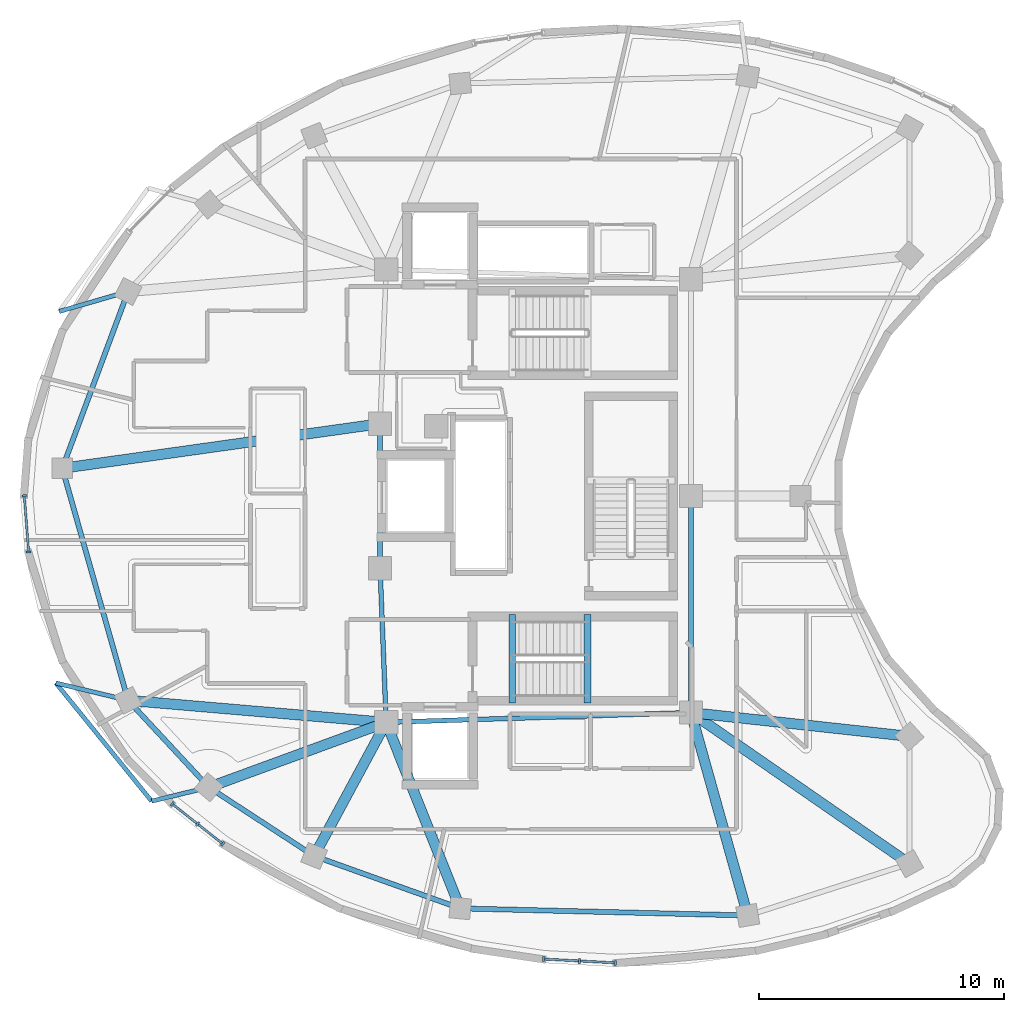
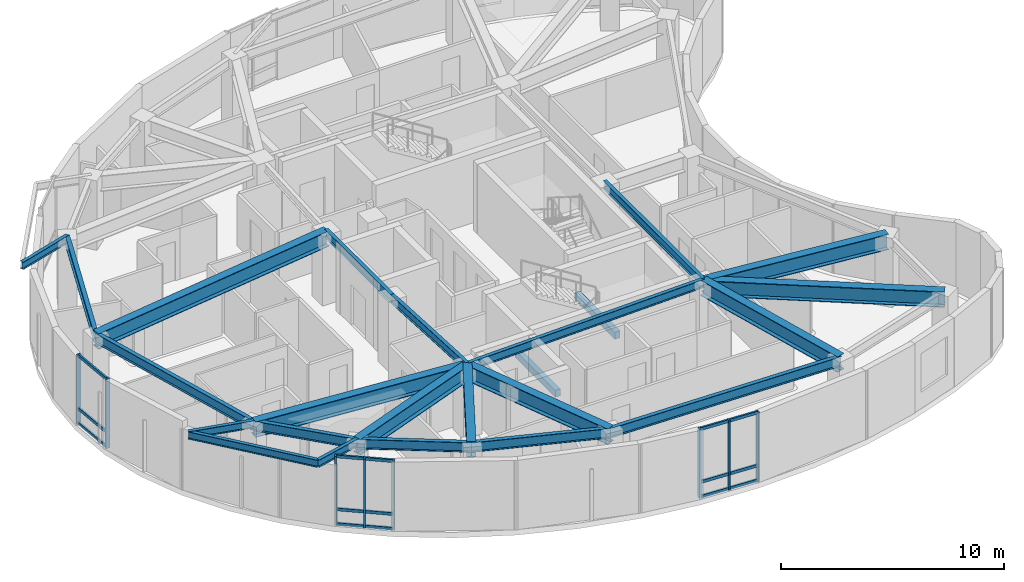
# One storey, part 2 of 12: 24 beams, 23 members, 3 elements without a shape of their own.
"""IFC4 building model written with IfcOpenShell, lengths in metres."""

from ifc_helpers import new_model, si_unit, direction, frame, origin, origin_2d, place, context, subcontext, project, spatial, rectangle, i_section, extrude, material, layer, layer_set, material_profile, profile_set, type_object, element, aggregate, save


model = new_model("IFC4")

# Units and contexts
model_context = context("Model", 3, precision=1e-05, world=origin(), true_north=direction((0.0, 1.0)))
body_context = subcontext(model_context, "Body", "Model", "MODEL_VIEW")
ifc_project = project(units=[si_unit("LENGTHUNIT", "METRE"), si_unit("AREAUNIT", "SQUARE_METRE"), si_unit("VOLUMEUNIT", "CUBIC_METRE"), si_unit("PLANEANGLEUNIT", "RADIAN"), si_unit("MASSUNIT", "GRAM", prefix="KILO")], contexts=[model_context])

# Site, building, storey
site_placement = place(None, origin())
site = spatial("IfcSite", under=ifc_project, at=site_placement, CompositionType="ELEMENT")
building_placement = place(site_placement, origin())
building = spatial("IfcBuilding", under=site, at=building_placement, Name="Korentha Bioscience Tower", CompositionType="ELEMENT")
storey_placement = place(building_placement, frame((0.0, 0.0, 282.60009765625)))
storey = spatial("IfcBuildingStorey", under=building, at=storey_placement, Name="L65", CompositionType="ELEMENT", Elevation=282.60009765625)

# Beams
ifc_material_1 = material(Name="Concrete C50", Category="concrete")
ifc_material_profile_1 = material_profile(ifc_material_1, rectangle(XDim=0.280029296875, YDim=0.3798828125, at=origin_2d()), Name="Concrete C50")
ifc_profile_set_1 = profile_set([ifc_material_profile_1], Name="Concrete C50 (ST-HB380)")
beam_type_1 = type_object("IfcBeamType", Name="Concrete Stair Header Beam RC 280x380", PredefinedType="BEAM", material=ifc_profile_set_1)
for number, where, z_axis, x_axis, name in (
    (1, (30.25, 18.550048828125, -0.190185546875), (0.0, 1.0, 0.0), (-1.0, 0.0, 0.0), "L65 ST-2 Concrete Stair Header Beam"),
    (2, (33.330078125, 18.550048828125, 1.909912109375), (0.0, 1.0, 0.0), (-1.0, 0.0, 0.0), "L65 ST-2 Half-Landing Header Beam 1"),
):
    element("IfcBeam", number, at=place(storey_placement, frame(where, z_axis=z_axis, x_axis=x_axis)), inside=storey, type_object=beam_type_1, Name=name, PredefinedType="BEAM", context=body_context, shape_type="SweptSolid", body=[
        extrude(rectangle(XDim=0.280029296875, YDim=0.3798828125, at=origin_2d()), origin(), (0.0, 0.0, 1.0), 3.599853515625),
    ])
ifc_material_2 = material(Name="Steel S355", Category="steel")
ifc_material_profile_2 = material_profile(ifc_material_2, i_section(OverallWidth=0.18994140625, OverallDepth=0.45703125, WebThickness=0.009033203125, FlangeThickness=0.014404296875, at=origin_2d()), Name="Steel S355")
ifc_profile_set_2 = profile_set([ifc_material_profile_2], Name="Steel S355 (MB-460)")
beam_type_2 = type_object("IfcBeamType", Name="Mid-Ring Tie Girder W460x74", PredefinedType="BEAM", material=ifc_profile_set_2)
beam_1_placement = place(storey_placement, frame((24.85009765625, 29.949951171875, 3.5615234375), z_axis=(0.0, -1.0, 0.0), x_axis=(1.0, 0.0, 0.0)))
element("IfcBeam", 3, at=beam_1_placement, inside=storey, type_object=beam_type_2, Name="L65 Core Ring Tie Girder 03", PredefinedType="BEAM", context=body_context, shape_type="SweptSolid", body=[
    extrude(i_section(OverallWidth=0.18994140625, OverallDepth=0.45703125, WebThickness=0.009033203125, FlangeThickness=0.014404296875, at=origin_2d()), origin(), (0.0, 0.0, 1.0), 5.89990234375),
])
beam_2_placement = place(storey_placement, frame((24.85009765625, 24.050048828125, 3.5615234375), z_axis=(0.039651025576, -0.999213588864, 0.0), x_axis=(0.999213588864, 0.039651025576, 0.0)))
element("IfcBeam", 4, at=beam_2_placement, inside=storey, type_object=beam_type_2, Name="L65 Core Ring Tie Girder 04", PredefinedType="BEAM", context=body_context, shape_type="SweptSolid", body=[
    extrude(i_section(OverallWidth=0.18994140625, OverallDepth=0.45703125, WebThickness=0.009033203125, FlangeThickness=0.014404296875, at=origin_2d()), origin(), (0.0, 0.0, 1.0), 6.304931640625),
])
beam_3_placement = place(storey_placement, frame((25.10009765625, 17.75, 3.5615234375), z_axis=(0.999484526071, 0.032104238723, 0.0), x_axis=(-0.032104238723, 0.999484526071, 0.0)))
element("IfcBeam", 5, at=beam_3_placement, inside=storey, type_object=beam_type_2, Name="L65 Core Ring Tie Girder 05", PredefinedType="BEAM", context=body_context, shape_type="SweptSolid", body=[
    extrude(i_section(OverallWidth=0.18994140625, OverallDepth=0.45703125, WebThickness=0.009033203125, FlangeThickness=0.014404296875, at=origin_2d()), origin(), (0.0, 0.0, 1.0), 12.456298828125),
])
beam_4_placement = place(storey_placement, frame((37.550048828125, 18.14990234375, 3.5615234375), z_axis=(0.0, 1.0, 0.0), x_axis=(-1.0, 0.0, 0.0)))
element("IfcBeam", 6, at=beam_4_placement, inside=storey, type_object=beam_type_2, Name="L65 Core Ring Tie Girder 06", PredefinedType="BEAM", context=body_context, shape_type="SweptSolid", body=[
    extrude(i_section(OverallWidth=0.18994140625, OverallDepth=0.45703125, WebThickness=0.009033203125, FlangeThickness=0.014404296875, at=origin_2d()), origin(), (0.0, 0.0, 1.0), 8.85009765625),
])

# Curtain wall, members
ifc_material_3 = material(Name="Thermally Broken Aluminium Frame", Category="aluminium")
ifc_layer = layer(ifc_material_3, 0.219970703125, Name="Thermally Broken Aluminium Frame")
ifc_layer_set = layer_set([ifc_layer], Name="Thermally Broken Aluminium Frame (CW-T1)")
curtain_wall_type = type_object("IfcCurtainWallType", Name="Standard Bioscience Lab Unitised Curtain Wall CW-T1", PredefinedType="USERDEFINED", material=ifc_layer_set)
curtain_wall_1_placement = place(storey_placement, origin())
curtain_wall_1 = element("IfcCurtainWall", 7, at=curtain_wall_1_placement, inside=storey, type_object=curtain_wall_type, Name="L65 Curtain Wall 19", ObjectType="UNITISED", PredefinedType="USERDEFINED")
ifc_material_4 = material(Name="Anodised Aluminium 6063-T6", Category="aluminium")
ifc_material_profile_3 = material_profile(ifc_material_4, rectangle(XDim=0.090087890625, YDim=0.199951171875, at=origin_2d()), Name="Anodised Aluminium 6063-T6")
ifc_profile_set_3 = profile_set([ifc_material_profile_3], Name="Anodised Aluminium 6063-T6 (CW-MUL)")
member_type_1 = type_object("IfcMemberType", Name="Mullion RECT 90x200", PredefinedType="MULLION", material=ifc_profile_set_3)
member_1_placement = place(storey_placement, frame((10.31787109375, 27.007080078125, 0.0), z_axis=(0.0, 0.0, 1.0), x_axis=(0.076447323916, -0.997073621487, 0.0)))
member_1 = element("IfcMember", 8, at=member_1_placement, type_object=member_type_1, Name="CW-L65-19 Mullion 1", PredefinedType="MULLION", context=body_context, shape_type="SweptSolid", body=[
    extrude(rectangle(XDim=0.090087890625, YDim=0.199951171875, at=origin_2d()), origin(), (0.0, 0.0, 1.0), 3.789794921875),
])
member_2_placement = place(storey_placement, frame((10.493896484375, 24.710205078125, 0.0), z_axis=(0.0, 0.0, 1.0), x_axis=(0.076447323916, -0.997073621487, 0.0)))
member_2 = element("IfcMember", 9, at=member_2_placement, type_object=member_type_1, Name="CW-L65-19 Mullion 2", PredefinedType="MULLION", context=body_context, shape_type="SweptSolid", body=[
    extrude(rectangle(XDim=0.090087890625, YDim=0.199951171875, at=origin_2d()), origin(), (0.0, 0.0, 1.0), 3.789794921875),
])

curtain_wall_2_placement = place(storey_placement, origin())
curtain_wall_2 = element("IfcCurtainWall", 10, at=curtain_wall_2_placement, inside=storey, type_object=curtain_wall_type, Name="L65 Curtain Wall 25", ObjectType="UNITISED", PredefinedType="USERDEFINED")
member_3_placement = place(storey_placement, frame((16.361083984375, 14.41943359375, 0.0), z_axis=(0.0, 0.0, 1.0), x_axis=(0.78407560827, -0.620665320858, 0.0)))
member_3 = element("IfcMember", 11, at=member_3_placement, type_object=member_type_1, Name="CW-L65-25 Mullion 1", PredefinedType="MULLION", context=body_context, shape_type="SweptSolid", body=[
    extrude(rectangle(XDim=0.090087890625, YDim=0.199951171875, at=origin_2d()), origin(), (0.0, 0.0, 1.0), 3.789794921875),
])
member_4_placement = place(storey_placement, frame((17.3935546875, 13.602294921875, 0.0), z_axis=(0.0, 0.0, 1.0), x_axis=(0.78407560827, -0.620665320858, 0.0)))
member_4 = element("IfcMember", 12, at=member_4_placement, type_object=member_type_1, Name="CW-L65-25 Mullion 2", PredefinedType="MULLION", context=body_context, shape_type="SweptSolid", body=[
    extrude(rectangle(XDim=0.090087890625, YDim=0.199951171875, at=origin_2d()), origin(), (0.0, 0.0, 1.0), 3.789794921875),
])
member_5_placement = place(storey_placement, frame((18.42578125, 12.784912109375, 0.0), z_axis=(0.0, 0.0, 1.0), x_axis=(0.78407560827, -0.620665320858, 0.0)))
member_5 = element("IfcMember", 13, at=member_5_placement, type_object=member_type_1, Name="CW-L65-25 Mullion 3", PredefinedType="MULLION", context=body_context, shape_type="SweptSolid", body=[
    extrude(rectangle(XDim=0.090087890625, YDim=0.199951171875, at=origin_2d()), origin(), (0.0, 0.0, 1.0), 3.789794921875),
])

curtain_wall_3_placement = place(storey_placement, origin())
curtain_wall_3 = element("IfcCurtainWall", 14, at=curtain_wall_3_placement, inside=storey, type_object=curtain_wall_type, Name="L65 Curtain Wall 31", ObjectType="UNITISED", PredefinedType="USERDEFINED")
member_6_placement = place(storey_placement, frame((31.531982421875, 8.082763671875, 0.0), z_axis=(0.0, 0.0, 1.0), x_axis=(0.998579324855, -0.053285382345, 0.0)))
member_6 = element("IfcMember", 15, at=member_6_placement, type_object=member_type_1, Name="CW-L65-31 Mullion 1", PredefinedType="MULLION", context=body_context, shape_type="SweptSolid", body=[
    extrude(rectangle(XDim=0.090087890625, YDim=0.199951171875, at=origin_2d()), origin(), (0.0, 0.0, 1.0), 3.789794921875),
])
member_7_placement = place(storey_placement, frame((32.994873046875, 8.004638671875, 0.0), z_axis=(0.0, 0.0, 1.0), x_axis=(0.998579324855, -0.053285382345, 0.0)))
member_7 = element("IfcMember", 16, at=member_7_placement, type_object=member_type_1, Name="CW-L65-31 Mullion 2", PredefinedType="MULLION", context=body_context, shape_type="SweptSolid", body=[
    extrude(rectangle(XDim=0.090087890625, YDim=0.199951171875, at=origin_2d()), origin(), (0.0, 0.0, 1.0), 3.789794921875),
])
member_8_placement = place(storey_placement, frame((34.45751953125, 7.9267578125, 0.0), z_axis=(0.0, 0.0, 1.0), x_axis=(0.998579324855, -0.053285382345, 0.0)))
member_8 = element("IfcMember", 17, at=member_8_placement, type_object=member_type_1, Name="CW-L65-31 Mullion 3", PredefinedType="MULLION", context=body_context, shape_type="SweptSolid", body=[
    extrude(rectangle(XDim=0.090087890625, YDim=0.199951171875, at=origin_2d()), origin(), (0.0, 0.0, 1.0), 3.789794921875),
])

# Beams
ifc_material_profile_4 = material_profile(ifc_material_2, i_section(OverallWidth=0.208984375, OverallDepth=0.532958984375, WebThickness=0.01025390625, FlangeThickness=0.015625, at=origin_2d()), Name="Steel S355")
ifc_profile_set_4 = profile_set([ifc_material_profile_4], Name="Steel S355 (SB-530)")
beam_type_3 = type_object("IfcBeamType", Name="Perimeter Ring Spandrel Girder W530x92", PredefinedType="SPANDREL", material=ifc_profile_set_4)
beam_5_placement = place(storey_placement, frame((14.556884765625, 35.35107421875, 3.5234375), z_axis=(-0.348764777576, -0.937210291195, 0.0), x_axis=(0.937210291195, -0.348764777576, 0.0)))
element("IfcBeam", 18, at=beam_5_placement, inside=storey, type_object=beam_type_3, Name="L65 Perimeter Spandrel Girder 06", PredefinedType="SPANDREL", context=body_context, shape_type="SweptSolid", body=[
    extrude(i_section(OverallWidth=0.208984375, OverallDepth=0.532958984375, WebThickness=0.01025390625, FlangeThickness=0.015625, at=origin_2d()), origin(), (0.0, 0.0, 1.0), 7.705810546875),
])
beam_6_placement = place(storey_placement, frame((11.869384765625, 28.129150390625, 3.5234375), z_axis=(0.272737504726, -0.962088485284, 0.0), x_axis=(0.962088485284, 0.272737504726, 0.0)))
element("IfcBeam", 19, at=beam_6_placement, inside=storey, type_object=beam_type_3, Name="L65 Perimeter Spandrel Girder 07", PredefinedType="SPANDREL", context=body_context, shape_type="SweptSolid", body=[
    extrude(i_section(OverallWidth=0.208984375, OverallDepth=0.532958984375, WebThickness=0.01025390625, FlangeThickness=0.015625, at=origin_2d()), origin(), (0.0, 0.0, 1.0), 9.853759765625),
])
beam_7_placement = place(storey_placement, frame((14.556884765625, 18.64892578125, 3.5234375), z_axis=(0.680655927259, -0.732603240976, 0.0), x_axis=(0.732603240976, 0.680655927259, 0.0)))
element("IfcBeam", 20, at=beam_7_placement, inside=storey, type_object=beam_type_3, Name="L65 Perimeter Spandrel Girder 08", PredefinedType="SPANDREL", context=body_context, shape_type="SweptSolid", body=[
    extrude(i_section(OverallWidth=0.208984375, OverallDepth=0.532958984375, WebThickness=0.01025390625, FlangeThickness=0.015625, at=origin_2d()), origin(), (0.0, 0.0, 1.0), 4.845458984375),
])
beam_8_placement = place(storey_placement, frame((17.85498046875, 15.09912109375, 3.5234375), z_axis=(0.837370389089, -0.546635922234, 0.0), x_axis=(0.546635922234, 0.837370389089, 0.0)))
element("IfcBeam", 21, at=beam_8_placement, inside=storey, type_object=beam_type_3, Name="L65 Perimeter Spandrel Girder 09", PredefinedType="SPANDREL", context=body_context, shape_type="SweptSolid", body=[
    extrude(i_section(OverallWidth=0.208984375, OverallDepth=0.532958984375, WebThickness=0.01025390625, FlangeThickness=0.015625, at=origin_2d()), origin(), (0.0, 0.0, 1.0), 5.137451171875),
])
beam_9_placement = place(storey_placement, frame((22.156982421875, 12.290771484375, 3.5234375), z_axis=(0.941344019681, -0.337448420668, 0.0), x_axis=(0.337448420668, 0.941344019681, 0.0)))
element("IfcBeam", 22, at=beam_9_placement, inside=storey, type_object=beam_type_3, Name="L65 Perimeter Spandrel Girder 10", PredefinedType="SPANDREL", context=body_context, shape_type="SweptSolid", body=[
    extrude(i_section(OverallWidth=0.208984375, OverallDepth=0.532958984375, WebThickness=0.01025390625, FlangeThickness=0.015625, at=origin_2d()), origin(), (0.0, 0.0, 1.0), 6.340576171875),
])
beam_10_placement = place(storey_placement, frame((28.125732421875, 10.151123046875, 3.5234375), z_axis=(0.999696680128, -0.024628189974, 0.0), x_axis=(0.024628189974, 0.999696680128, 0.0)))
element("IfcBeam", 23, at=beam_10_placement, inside=storey, type_object=beam_type_3, Name="L65 Perimeter Spandrel Girder 11", PredefinedType="SPANDREL", context=body_context, shape_type="SweptSolid", body=[
    extrude(i_section(OverallWidth=0.208984375, OverallDepth=0.532958984375, WebThickness=0.01025390625, FlangeThickness=0.015625, at=origin_2d()), origin(), (0.0, 0.0, 1.0), 11.7470703125),
])
ifc_material_profile_5 = material_profile(ifc_material_2, i_section(OverallWidth=0.419921875, OverallDepth=0.85009765625, WebThickness=0.01806640625, FlangeThickness=0.031982421875, at=origin_2d()), Name="Steel S355")
ifc_profile_set_5 = profile_set([ifc_material_profile_5], Name="Steel S355 (MB-850)")
beam_type_4 = type_object("IfcBeamType", Name="Plant Heavy Girder CVS 850x315", PredefinedType="BEAM", material=ifc_profile_set_5)
beam_11_placement = place(storey_placement, frame((24.85009765625, 29.949951171875, 3.364990234375), z_axis=(-0.990305038065, -0.138909796571, 0.0), x_axis=(0.138909796571, -0.990305038065, 0.0)))
element("IfcBeam", 24, at=beam_11_placement, inside=storey, type_object=beam_type_4, Name="L65 Radial Girder 07", PredefinedType="BEAM", context=body_context, shape_type="SweptSolid", body=[
    extrude(i_section(OverallWidth=0.419921875, OverallDepth=0.85009765625, WebThickness=0.01806640625, FlangeThickness=0.031982421875, at=origin_2d()), origin(), (0.0, 0.0, 1.0), 13.10791015625),
])
beam_12_placement = place(storey_placement, frame((25.10009765625, 17.75, 3.364990234375), z_axis=(-0.996384971169, 0.084952864741, 0.0), x_axis=(-0.084952864741, -0.996384971169, 0.0)))
element("IfcBeam", 25, at=beam_12_placement, inside=storey, type_object=beam_type_4, Name="L65 Radial Girder 08", PredefinedType="BEAM", context=body_context, shape_type="SweptSolid", body=[
    extrude(i_section(OverallWidth=0.419921875, OverallDepth=0.85009765625, WebThickness=0.01806640625, FlangeThickness=0.031982421875, at=origin_2d()), origin(), (0.0, 0.0, 1.0), 10.58154296875),
])
beam_13_placement = place(storey_placement, frame((25.10009765625, 17.75, 3.364990234375), z_axis=(-0.939113387984, -0.343607398798, 0.0), x_axis=(0.343607398798, -0.939113387984, 0.0)))
element("IfcBeam", 26, at=beam_13_placement, inside=storey, type_object=beam_type_4, Name="L65 Radial Girder 09", PredefinedType="BEAM", context=body_context, shape_type="SweptSolid", body=[
    extrude(i_section(OverallWidth=0.419921875, OverallDepth=0.85009765625, WebThickness=0.01806640625, FlangeThickness=0.031982421875, at=origin_2d()), origin(), (0.0, 0.0, 1.0), 7.71484375),
])
beam_14_placement = place(storey_placement, frame((25.10009765625, 17.75, 3.364990234375), z_axis=(-0.474541081143, -0.880233356734, 0.0), x_axis=(0.880233356734, -0.474541081143, 0.0)))
element("IfcBeam", 27, at=beam_14_placement, inside=storey, type_object=beam_type_4, Name="L65 Radial Girder 10", PredefinedType="BEAM", context=body_context, shape_type="SweptSolid", body=[
    extrude(i_section(OverallWidth=0.419921875, OverallDepth=0.85009765625, WebThickness=0.01806640625, FlangeThickness=0.031982421875, at=origin_2d()), origin(), (0.0, 0.0, 1.0), 6.201904296875),
])
beam_15_placement = place(storey_placement, frame((25.10009765625, 17.75, 3.364990234375), z_axis=(0.369923475736, -0.929062227248, 0.0), x_axis=(0.929062227248, 0.369923475736, 0.0)))
element("IfcBeam", 28, at=beam_15_placement, inside=storey, type_object=beam_type_4, Name="L65 Radial Girder 11", PredefinedType="BEAM", context=body_context, shape_type="SweptSolid", body=[
    extrude(i_section(OverallWidth=0.419921875, OverallDepth=0.85009765625, WebThickness=0.01806640625, FlangeThickness=0.031982421875, at=origin_2d()), origin(), (0.0, 0.0, 1.0), 8.17919921875),
])
beam_16_placement = place(storey_placement, frame((37.550048828125, 18.14990234375, 3.364990234375), z_axis=(0.269460517512, -0.963011437888, 0.0), x_axis=(0.963011437888, 0.269460517512, 0.0)))
element("IfcBeam", 29, at=beam_16_placement, inside=storey, type_object=beam_type_4, Name="L65 Radial Girder 12", PredefinedType="BEAM", context=body_context, shape_type="SweptSolid", body=[
    extrude(i_section(OverallWidth=0.419921875, OverallDepth=0.85009765625, WebThickness=0.01806640625, FlangeThickness=0.031982421875, at=origin_2d()), origin(), (0.0, 0.0, 1.0), 8.6064453125),
])
beam_17_placement = place(storey_placement, frame((37.550048828125, 18.14990234375, 3.364990234375), z_axis=(0.822499007629, -0.56876654477, 0.0), x_axis=(0.56876654477, 0.822499007629, 0.0)))
element("IfcBeam", 30, at=beam_17_placement, inside=storey, type_object=beam_type_4, Name="L65 Radial Girder 13", PredefinedType="BEAM", context=body_context, shape_type="SweptSolid", body=[
    extrude(i_section(OverallWidth=0.419921875, OverallDepth=0.85009765625, WebThickness=0.01806640625, FlangeThickness=0.031982421875, at=origin_2d()), origin(), (0.0, 0.0, 1.0), 10.8525390625),
])
beam_18_placement = place(storey_placement, frame((37.550048828125, 18.14990234375, 3.364990234375), z_axis=(0.994116294337, -0.108318019432, 0.0), x_axis=(0.108318019432, 0.994116294337, 0.0)))
element("IfcBeam", 31, at=beam_18_placement, inside=storey, type_object=beam_type_4, Name="L65 Radial Girder 14", PredefinedType="BEAM", context=body_context, shape_type="SweptSolid", body=[
    extrude(i_section(OverallWidth=0.419921875, OverallDepth=0.85009765625, WebThickness=0.01806640625, FlangeThickness=0.031982421875, at=origin_2d()), origin(), (0.0, 0.0, 1.0), 8.977294921875),
])
ifc_material_profile_6 = material_profile(ifc_material_2, i_section(OverallWidth=0.177978515625, OverallDepth=0.406982421875, WebThickness=0.0078125, FlangeThickness=0.0126953125, at=origin_2d()), Name="Steel S355")
ifc_profile_set_6 = profile_set([ifc_material_profile_6], Name="Steel S355 (CB-410)")
beam_type_5 = type_object("IfcBeamType", Name="Sun-Ledge Cantilever Beam W410x60", PredefinedType="BEAM", material=ifc_profile_set_6)
beam_19_placement = place(storey_placement, frame((14.556884765625, 35.35107421875, 3.58837890625), z_axis=(-0.960424006092, -0.278542148557, 0.0), x_axis=(0.278542148557, -0.960424006092, 0.0)))
element("IfcBeam", 32, at=beam_19_placement, inside=storey, type_object=beam_type_5, Name="L65 Balcony Cantilever Bracket B-L66-02", PredefinedType="BEAM", context=body_context, shape_type="SweptSolid", body=[
    extrude(i_section(OverallWidth=0.177978515625, OverallDepth=0.406982421875, WebThickness=0.0078125, FlangeThickness=0.0126953125, at=origin_2d()), origin(), (0.0, 0.0, 1.0), 2.926513671875),
])
beam_20_placement = place(storey_placement, frame((14.556884765625, 18.64892578125, 3.58837890625), z_axis=(-0.972322244215, 0.23364386019, 0.0), x_axis=(-0.23364386019, -0.972322244215, 0.0)))
element("IfcBeam", 33, at=beam_20_placement, inside=storey, type_object=beam_type_5, Name="L65 Balcony Cantilever Bracket A-L66-03", PredefinedType="BEAM", context=body_context, shape_type="SweptSolid", body=[
    extrude(i_section(OverallWidth=0.177978515625, OverallDepth=0.406982421875, WebThickness=0.0078125, FlangeThickness=0.0126953125, at=origin_2d()), origin(), (0.0, 0.0, 1.0), 3.033447265625),
])
beam_21_placement = place(storey_placement, frame((17.85498046875, 15.09912109375, 3.58837890625), z_axis=(-0.971855741724, -0.23557677576, 0.0), x_axis=(0.23557677576, -0.971855741724, 0.0)))
element("IfcBeam", 34, at=beam_21_placement, inside=storey, type_object=beam_type_5, Name="L65 Balcony Cantilever Bracket B-L66-03", PredefinedType="BEAM", context=body_context, shape_type="SweptSolid", body=[
    extrude(i_section(OverallWidth=0.177978515625, OverallDepth=0.406982421875, WebThickness=0.0078125, FlangeThickness=0.0126953125, at=origin_2d()), origin(), (0.0, 0.0, 1.0), 2.404296875),
])
beam_22_placement = place(storey_placement, frame((11.607421875, 19.357666015625, 3.58837890625), z_axis=(0.629682085265, -0.776852927842, 0.0), x_axis=(0.776852927842, 0.629682085265, 0.0)))
element("IfcBeam", 35, at=beam_22_placement, inside=storey, type_object=beam_type_5, Name="L65 Balcony Edge Trimmer Beam L66-03", PredefinedType="BEAM", context=body_context, shape_type="SweptSolid", body=[
    extrude(i_section(OverallWidth=0.177978515625, OverallDepth=0.406982421875, WebThickness=0.0078125, FlangeThickness=0.0126953125, at=origin_2d()), origin(), (0.0, 0.0, 1.0), 6.2109375),
])

# Member
ifc_material_profile_7 = material_profile(ifc_material_4, rectangle(XDim=0.090087890625, YDim=0.159912109375, at=origin_2d()), Name="Anodised Aluminium 6063-T6")
ifc_profile_set_7 = profile_set([ifc_material_profile_7], Name="Anodised Aluminium 6063-T6 (CW-TRN)")
member_type_2 = type_object("IfcMemberType", Name="Transom RECT 90x160", PredefinedType="USERDEFINED", material=ifc_profile_set_7)
member_9_placement = place(storey_placement, frame((10.3212890625, 26.96240234375, 0.044921875), z_axis=(0.076418222259, -0.997075852334, 0.0), x_axis=(0.997075852334, 0.076418222259, 0.0)))
member_9 = element("IfcMember", 36, at=member_9_placement, type_object=member_type_2, Name="CW-L65-19 Bay 1 Transom 1", ObjectType="TRANSOM", PredefinedType="USERDEFINED", context=body_context, shape_type="SweptSolid", body=[
    extrude(rectangle(XDim=0.090087890625, YDim=0.159912109375, at=origin_2d()), origin(), (0.0, 0.0, 1.0), 2.214111328125),
])

member_10_placement = place(storey_placement, frame((10.3212890625, 26.96240234375, 0.849853515625), z_axis=(0.076418222259, -0.997075852334, 0.0), x_axis=(0.997075852334, 0.076418222259, 0.0)))
member_10 = element("IfcMember", 37, at=member_10_placement, type_object=member_type_2, Name="CW-L65-19 Bay 1 Transom 2", ObjectType="TRANSOM", PredefinedType="USERDEFINED", context=body_context, shape_type="SweptSolid", body=[
    extrude(rectangle(XDim=0.090087890625, YDim=0.159912109375, at=origin_2d()), origin(), (0.0, 0.0, 1.0), 2.214111328125),
])

member_11_placement = place(storey_placement, frame((10.3212890625, 26.96240234375, 3.744873046875), z_axis=(0.076418222259, -0.997075852334, 0.0), x_axis=(0.997075852334, 0.076418222259, 0.0)))
member_11 = element("IfcMember", 38, at=member_11_placement, type_object=member_type_2, Name="CW-L65-19 Bay 1 Transom 3", ObjectType="TRANSOM", PredefinedType="USERDEFINED", context=body_context, shape_type="SweptSolid", body=[
    extrude(rectangle(XDim=0.090087890625, YDim=0.159912109375, at=origin_2d()), origin(), (0.0, 0.0, 1.0), 2.214111328125),
])

aggregate(curtain_wall_1, [member_1, member_2, member_9, member_10, member_11])

member_12_placement = place(storey_placement, frame((16.396484375, 14.391357421875, 0.044921875), z_axis=(0.784082150334, -0.620657056294, 0.0), x_axis=(0.620657056294, 0.784082150334, 0.0)))
member_12 = element("IfcMember", 39, at=member_12_placement, type_object=member_type_2, Name="CW-L65-25 Bay 1 Transom 1", ObjectType="TRANSOM", PredefinedType="USERDEFINED", context=body_context, shape_type="SweptSolid", body=[
    extrude(rectangle(XDim=0.090087890625, YDim=0.159912109375, at=origin_2d()), origin(), (0.0, 0.0, 1.0), 1.2265625),
])

member_13_placement = place(storey_placement, frame((16.396484375, 14.391357421875, 0.849853515625), z_axis=(0.784082150334, -0.620657056294, 0.0), x_axis=(0.620657056294, 0.784082150334, 0.0)))
member_13 = element("IfcMember", 40, at=member_13_placement, type_object=member_type_2, Name="CW-L65-25 Bay 1 Transom 2", ObjectType="TRANSOM", PredefinedType="USERDEFINED", context=body_context, shape_type="SweptSolid", body=[
    extrude(rectangle(XDim=0.090087890625, YDim=0.159912109375, at=origin_2d()), origin(), (0.0, 0.0, 1.0), 1.2265625),
])

member_14_placement = place(storey_placement, frame((16.396484375, 14.391357421875, 3.744873046875), z_axis=(0.784082150334, -0.620657056294, 0.0), x_axis=(0.620657056294, 0.784082150334, 0.0)))
member_14 = element("IfcMember", 41, at=member_14_placement, type_object=member_type_2, Name="CW-L65-25 Bay 1 Transom 3", ObjectType="TRANSOM", PredefinedType="USERDEFINED", context=body_context, shape_type="SweptSolid", body=[
    extrude(rectangle(XDim=0.090087890625, YDim=0.159912109375, at=origin_2d()), origin(), (0.0, 0.0, 1.0), 1.2265625),
])

member_15_placement = place(storey_placement, frame((17.4287109375, 13.57421875, 0.044921875), z_axis=(0.784082150334, -0.620657056294, 0.0), x_axis=(0.620657056294, 0.784082150334, 0.0)))
member_15 = element("IfcMember", 42, at=member_15_placement, type_object=member_type_2, Name="CW-L65-25 Bay 2 Transom 1", ObjectType="TRANSOM", PredefinedType="USERDEFINED", context=body_context, shape_type="SweptSolid", body=[
    extrude(rectangle(XDim=0.090087890625, YDim=0.159912109375, at=origin_2d()), origin(), (0.0, 0.0, 1.0), 1.2265625),
])

member_16_placement = place(storey_placement, frame((17.4287109375, 13.57421875, 0.849853515625), z_axis=(0.784082150334, -0.620657056294, 0.0), x_axis=(0.620657056294, 0.784082150334, 0.0)))
member_16 = element("IfcMember", 43, at=member_16_placement, type_object=member_type_2, Name="CW-L65-25 Bay 2 Transom 2", ObjectType="TRANSOM", PredefinedType="USERDEFINED", context=body_context, shape_type="SweptSolid", body=[
    extrude(rectangle(XDim=0.090087890625, YDim=0.159912109375, at=origin_2d()), origin(), (0.0, 0.0, 1.0), 1.2265625),
])

member_17_placement = place(storey_placement, frame((17.4287109375, 13.57421875, 3.744873046875), z_axis=(0.784082150334, -0.620657056294, 0.0), x_axis=(0.620657056294, 0.784082150334, 0.0)))
member_17 = element("IfcMember", 44, at=member_17_placement, type_object=member_type_2, Name="CW-L65-25 Bay 2 Transom 3", ObjectType="TRANSOM", PredefinedType="USERDEFINED", context=body_context, shape_type="SweptSolid", body=[
    extrude(rectangle(XDim=0.090087890625, YDim=0.159912109375, at=origin_2d()), origin(), (0.0, 0.0, 1.0), 1.2265625),
])

aggregate(curtain_wall_2, [member_3, member_4, member_5, member_12, member_13, member_14, member_15, member_16, member_17])

member_18_placement = place(storey_placement, frame((31.5771484375, 8.080322265625, 0.044921875), z_axis=(0.998579797084, -0.053276531945, 0.0), x_axis=(0.053276531945, 0.998579797084, 0.0)))
member_18 = element("IfcMember", 45, at=member_18_placement, type_object=member_type_2, Name="CW-L65-31 Bay 1 Transom 1", ObjectType="TRANSOM", PredefinedType="USERDEFINED", context=body_context, shape_type="SweptSolid", body=[
    extrude(rectangle(XDim=0.090087890625, YDim=0.159912109375, at=origin_2d()), origin(), (0.0, 0.0, 1.0), 1.374755859375),
])

member_19_placement = place(storey_placement, frame((31.5771484375, 8.080322265625, 0.849853515625), z_axis=(0.998579797084, -0.053276531945, 0.0), x_axis=(0.053276531945, 0.998579797084, 0.0)))
member_19 = element("IfcMember", 46, at=member_19_placement, type_object=member_type_2, Name="CW-L65-31 Bay 1 Transom 2", ObjectType="TRANSOM", PredefinedType="USERDEFINED", context=body_context, shape_type="SweptSolid", body=[
    extrude(rectangle(XDim=0.090087890625, YDim=0.159912109375, at=origin_2d()), origin(), (0.0, 0.0, 1.0), 1.374755859375),
])

member_20_placement = place(storey_placement, frame((31.5771484375, 8.080322265625, 3.744873046875), z_axis=(0.998579797084, -0.053276531945, 0.0), x_axis=(0.053276531945, 0.998579797084, 0.0)))
member_20 = element("IfcMember", 47, at=member_20_placement, type_object=member_type_2, Name="CW-L65-31 Bay 1 Transom 3", ObjectType="TRANSOM", PredefinedType="USERDEFINED", context=body_context, shape_type="SweptSolid", body=[
    extrude(rectangle(XDim=0.090087890625, YDim=0.159912109375, at=origin_2d()), origin(), (0.0, 0.0, 1.0), 1.374755859375),
])

member_21_placement = place(storey_placement, frame((33.039794921875, 8.00244140625, 0.044921875), z_axis=(0.998579797084, -0.053276531945, 0.0), x_axis=(0.053276531945, 0.998579797084, 0.0)))
member_21 = element("IfcMember", 48, at=member_21_placement, type_object=member_type_2, Name="CW-L65-31 Bay 2 Transom 1", ObjectType="TRANSOM", PredefinedType="USERDEFINED", context=body_context, shape_type="SweptSolid", body=[
    extrude(rectangle(XDim=0.090087890625, YDim=0.159912109375, at=origin_2d()), origin(), (0.0, 0.0, 1.0), 1.374755859375),
])

member_22_placement = place(storey_placement, frame((33.039794921875, 8.00244140625, 0.849853515625), z_axis=(0.998579797084, -0.053276531945, 0.0), x_axis=(0.053276531945, 0.998579797084, 0.0)))
member_22 = element("IfcMember", 49, at=member_22_placement, type_object=member_type_2, Name="CW-L65-31 Bay 2 Transom 2", ObjectType="TRANSOM", PredefinedType="USERDEFINED", context=body_context, shape_type="SweptSolid", body=[
    extrude(rectangle(XDim=0.090087890625, YDim=0.159912109375, at=origin_2d()), origin(), (0.0, 0.0, 1.0), 1.374755859375),
])

member_23_placement = place(storey_placement, frame((33.039794921875, 8.00244140625, 3.744873046875), z_axis=(0.998579797084, -0.053276531945, 0.0), x_axis=(0.053276531945, 0.998579797084, 0.0)))
member_23 = element("IfcMember", 50, at=member_23_placement, type_object=member_type_2, Name="CW-L65-31 Bay 2 Transom 3", ObjectType="TRANSOM", PredefinedType="USERDEFINED", context=body_context, shape_type="SweptSolid", body=[
    extrude(rectangle(XDim=0.090087890625, YDim=0.159912109375, at=origin_2d()), origin(), (0.0, 0.0, 1.0), 1.374755859375),
])

aggregate(curtain_wall_3, [member_6, member_7, member_8, member_18, member_19, member_20, member_21, member_22, member_23])

save(model, "model.ifc")
